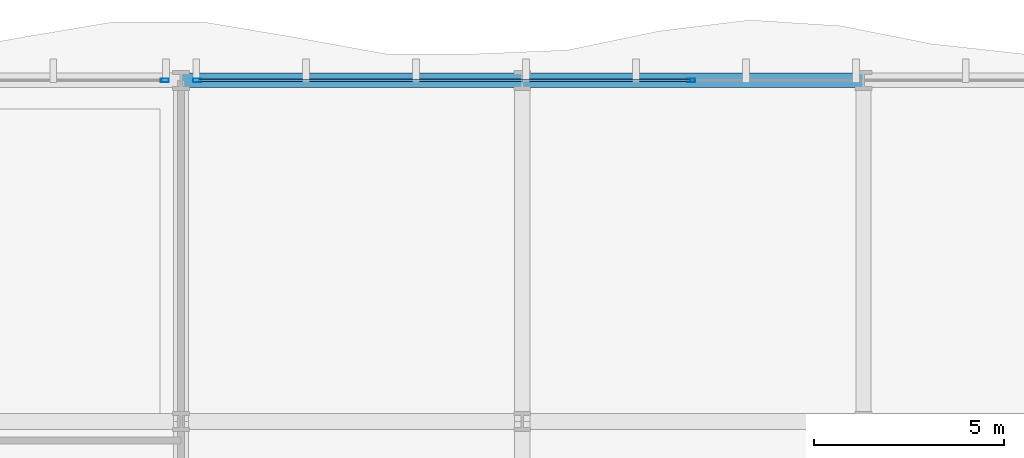
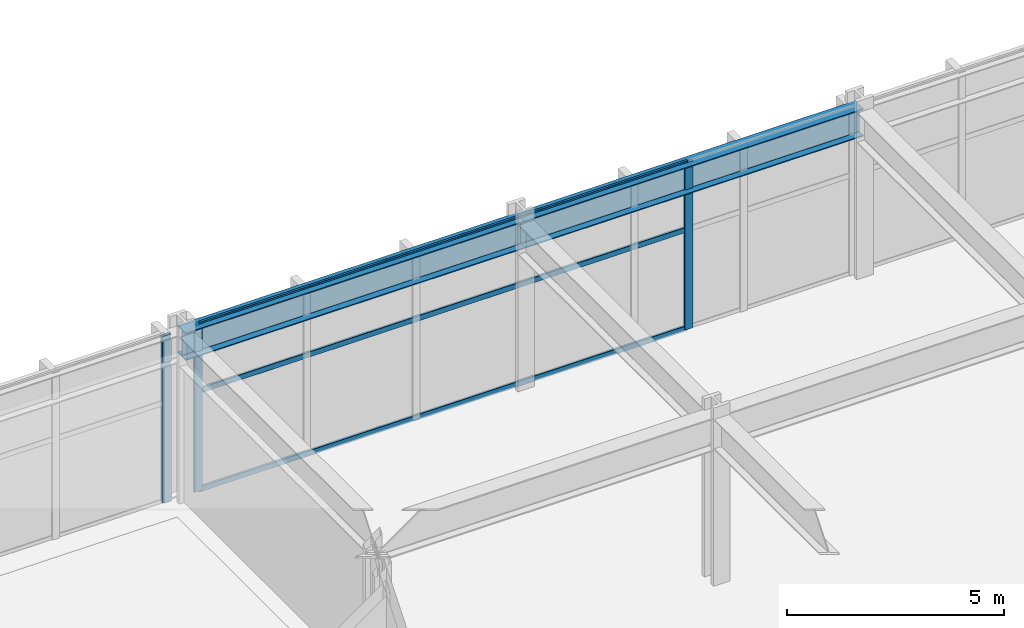
# One storey, part 17 of 28: 6 members, 2 beams, 2 elements without a shape of their own.
"""IFC4 building model written with IfcOpenShell, lengths in metres."""

from ifc_helpers import new_model, si_unit, direction, frame, origin, origin_2d, place, context, subcontext, project, spatial, hollow_rectangle, i_section, extrude, material, layer, layer_set, material_profile, profile_set, type_object, element, aggregate, save


model = new_model("IFC4")

# Units and contexts
model_context = context("Model", 3, precision=1e-05, world=origin(), true_north=direction((0.0, 1.0)))
body_context = subcontext(model_context, "Body", "Model", "MODEL_VIEW")
ifc_project = project(units=[si_unit("LENGTHUNIT", "METRE"), si_unit("AREAUNIT", "SQUARE_METRE"), si_unit("VOLUMEUNIT", "CUBIC_METRE"), si_unit("PLANEANGLEUNIT", "RADIAN"), si_unit("MASSUNIT", "GRAM", prefix="KILO")], contexts=[model_context])

# Site, building, storey
site_placement = place(None, origin())
site = spatial("IfcSite", under=ifc_project, at=site_placement, CompositionType="ELEMENT")
building_placement = place(site_placement, origin())
building = spatial("IfcBuilding", under=site, at=building_placement, Name="Solvaryn Broadcast Tower", CompositionType="ELEMENT")
storey_placement = place(building_placement, frame((0.0, 0.0, 16.199951171875)))
storey = spatial("IfcBuildingStorey", under=building, at=storey_placement, Name="L03", CompositionType="ELEMENT", Elevation=16.199951171875)

# Beams
ifc_material_1 = material(Name="Steel ASTM A992 Grade 50", Category="steel")
ifc_material_profile_1 = material_profile(ifc_material_1, i_section(OverallWidth=0.381103515625, OverallDepth=0.77294921875, WebThickness=0.0166015625, FlangeThickness=0.027099609375, FilletRadius=0.01806640625, at=origin_2d()))
ifc_profile_set_1 = profile_set([ifc_material_profile_1], Name="Steel ASTM A992 Grade 50")
beam_type = type_object("IfcBeamType", Name="BM-SP1-W30X173", PredefinedType="USERDEFINED", material=ifc_profile_set_1)
for number, where, z_axis, x_axis, name in (
    (1, (36.0, 54.0, 4.29345703125), (1.0, 0.0, 0.0), (0.0, 1.0, 0.0), "L03 Spandrel Beam X (36-45 @ Y=54)"),
    (2, (45.0, 54.0, 4.29345703125), (1.0, 0.0, 0.0), (0.0, 1.0, 0.0), "L03 Spandrel Beam X (45-54 @ Y=54)"),
):
    element("IfcBeam", number, at=place(storey_placement, frame(where, z_axis=z_axis, x_axis=x_axis)), inside=storey, type_object=beam_type, Name=name, ObjectType="SPANDREL", PredefinedType="USERDEFINED", context=body_context, shape_type="SweptSolid", body=[
        extrude(i_section(OverallWidth=0.381103515625, OverallDepth=0.77294921875, WebThickness=0.0166015625, FlangeThickness=0.027099609375, FilletRadius=0.01806640625, at=origin_2d()), origin(), (0.0, 0.0, 1.0), 9.0),
    ])

# Curtain wall, member
ifc_material_2 = material(Name="Aluminium and Terracotta Unitised Curtain Wall", Category="masonry")
ifc_layer = layer(ifc_material_2, 0.219970703125)
ifc_layer_set = layer_set([ifc_layer], Name="CW-SYS1-PODIUM")
curtain_wall_type = type_object("IfcCurtainWallType", Name="CW-SYS1-PODIUM", PredefinedType="NOTDEFINED", material=ifc_layer_set)
curtain_wall_1_placement = place(storey_placement, origin())
curtain_wall_1 = element("IfcCurtainWall", 3, at=curtain_wall_1_placement, inside=storey, type_object=curtain_wall_type, Name="L03 Podium Curtain Wall N1", PredefinedType="NOTDEFINED")
ifc_material_3 = material(Name="Anodised Aluminium 6063-T6", Category="aluminium")
ifc_material_profile_2 = material_profile(ifc_material_3, hollow_rectangle(XDim=0.0849609375, YDim=0.219970703125, WallThickness=0.0048828125, InnerFilletRadius=0.0048828125, OuterFilletRadius=0.010009765625, at=origin_2d()))
ifc_profile_set_2 = profile_set([ifc_material_profile_2], Name="Anodised Aluminium 6063-T6")
member_type_1 = type_object("IfcMemberType", Name="CW-MUL-220", PredefinedType="MULLION", material=ifc_profile_set_2)
member_1_placement = place(storey_placement, frame((35.570068359375, 54.0, 0.0), z_axis=(0.0, 0.0, 1.0), x_axis=(0.0, 1.0, 0.0)))
member_1 = element("IfcMember", 4, at=member_1_placement, type_object=member_type_1, Name="CWS1 mullion 3", PredefinedType="MULLION", context=body_context, shape_type="SweptSolid", body=[
    extrude(hollow_rectangle(XDim=0.0849609375, YDim=0.219970703125, WallThickness=0.0048828125, InnerFilletRadius=0.0048828125, OuterFilletRadius=0.010009765625, at=origin_2d()), origin(), (0.0, 0.0, 1.0), 4.679931640625),
])
aggregate(curtain_wall_1, [member_1])

# Curtain wall, members
curtain_wall_2_placement = place(storey_placement, origin())
curtain_wall_2 = element("IfcCurtainWall", 5, at=curtain_wall_2_placement, inside=storey, type_object=curtain_wall_type, Name="L03 Podium Curtain Wall N2", PredefinedType="NOTDEFINED")
member_2_placement = place(storey_placement, frame((36.429931640625, 54.0, 0.0), z_axis=(0.0, 0.0, 1.0), x_axis=(0.0, 1.0, 0.0)))
member_2 = element("IfcMember", 6, at=member_2_placement, type_object=member_type_1, Name="CWS1 mullion 1", PredefinedType="MULLION", context=body_context, shape_type="SweptSolid", body=[
    extrude(hollow_rectangle(XDim=0.0849609375, YDim=0.219970703125, WallThickness=0.0048828125, InnerFilletRadius=0.0048828125, OuterFilletRadius=0.010009765625, at=origin_2d()), origin(), (0.0, 0.0, 1.0), 4.679931640625),
])
member_3_placement = place(storey_placement, frame((49.449951171875, 54.0, 0.0), z_axis=(0.0, 0.0, 1.0), x_axis=(0.0, 1.0, 0.0)))
member_3 = element("IfcMember", 7, at=member_3_placement, type_object=member_type_1, Name="CWS1 mullion 2", PredefinedType="MULLION", context=body_context, shape_type="SweptSolid", body=[
    extrude(hollow_rectangle(XDim=0.0849609375, YDim=0.219970703125, WallThickness=0.0048828125, InnerFilletRadius=0.0048828125, OuterFilletRadius=0.010009765625, at=origin_2d()), origin(), (0.0, 0.0, 1.0), 4.679931640625),
])
ifc_material_4 = material(Name="Anodised Aluminium 6063-T6", Category="aluminium")
ifc_material_profile_3 = material_profile(ifc_material_4, hollow_rectangle(XDim=0.06494140625, YDim=0.14990234375, WallThickness=0.00390625, InnerFilletRadius=0.00390625, OuterFilletRadius=0.008056640625, at=origin_2d()))
ifc_profile_set_3 = profile_set([ifc_material_profile_3], Name="Anodised Aluminium 6063-T6")
member_type_2 = type_object("IfcMemberType", Name="CW-TRN-150", PredefinedType="USERDEFINED", material=ifc_profile_set_3)
member_4_placement = place(storey_placement, frame((36.4599609375, 54.0, 0.030029296875), z_axis=(1.0, 0.0, 0.0), x_axis=(0.0, 1.0, 0.0)))
member_4 = element("IfcMember", 8, at=member_4_placement, type_object=member_type_2, Name="CWS1 transom 1.1", ObjectType="TRANSOM", PredefinedType="USERDEFINED", context=body_context, shape_type="SweptSolid", body=[
    extrude(hollow_rectangle(XDim=0.06494140625, YDim=0.14990234375, WallThickness=0.00390625, InnerFilletRadius=0.00390625, OuterFilletRadius=0.008056640625, at=origin_2d()), origin(), (0.0, 0.0, 1.0), 12.9599609375),
])
member_5_placement = place(storey_placement, frame((36.4599609375, 54.0, 2.800048828125), z_axis=(1.0, 0.0, 0.0), x_axis=(0.0, 1.0, 0.0)))
member_5 = element("IfcMember", 9, at=member_5_placement, type_object=member_type_2, Name="CWS1 transom 1.2", ObjectType="TRANSOM", PredefinedType="USERDEFINED", context=body_context, shape_type="SweptSolid", body=[
    extrude(hollow_rectangle(XDim=0.06494140625, YDim=0.14990234375, WallThickness=0.00390625, InnerFilletRadius=0.00390625, OuterFilletRadius=0.008056640625, at=origin_2d()), origin(), (0.0, 0.0, 1.0), 12.9599609375),
])
member_6_placement = place(storey_placement, frame((36.4599609375, 54.0, 4.650146484375), z_axis=(1.0, 0.0, 0.0), x_axis=(0.0, 1.0, 0.0)))
member_6 = element("IfcMember", 10, at=member_6_placement, type_object=member_type_2, Name="CWS1 transom 1.3", ObjectType="TRANSOM", PredefinedType="USERDEFINED", context=body_context, shape_type="SweptSolid", body=[
    extrude(hollow_rectangle(XDim=0.06494140625, YDim=0.14990234375, WallThickness=0.00390625, InnerFilletRadius=0.00390625, OuterFilletRadius=0.008056640625, at=origin_2d()), origin(), (0.0, 0.0, 1.0), 12.9599609375),
])
aggregate(curtain_wall_2, [member_2, member_3, member_4, member_5, member_6])

save(model, "model.ifc")
